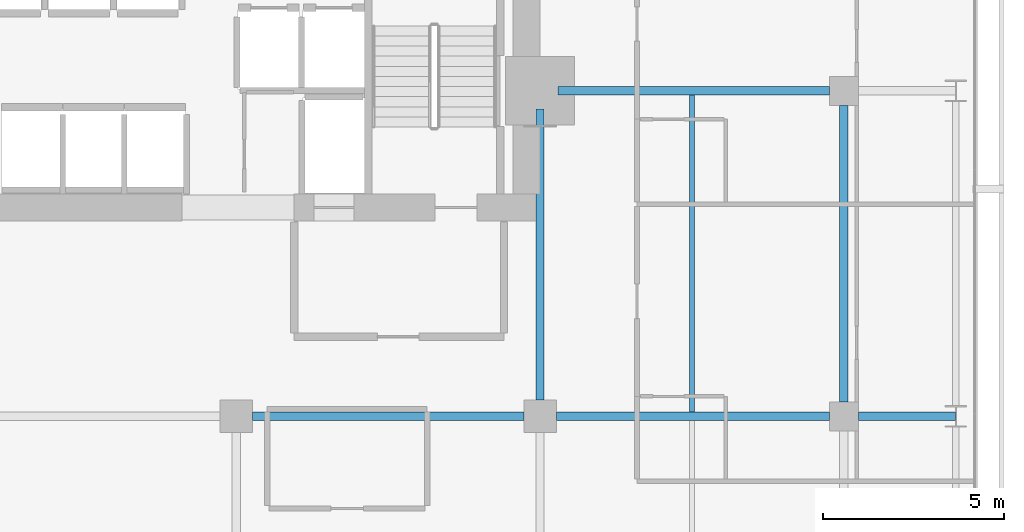
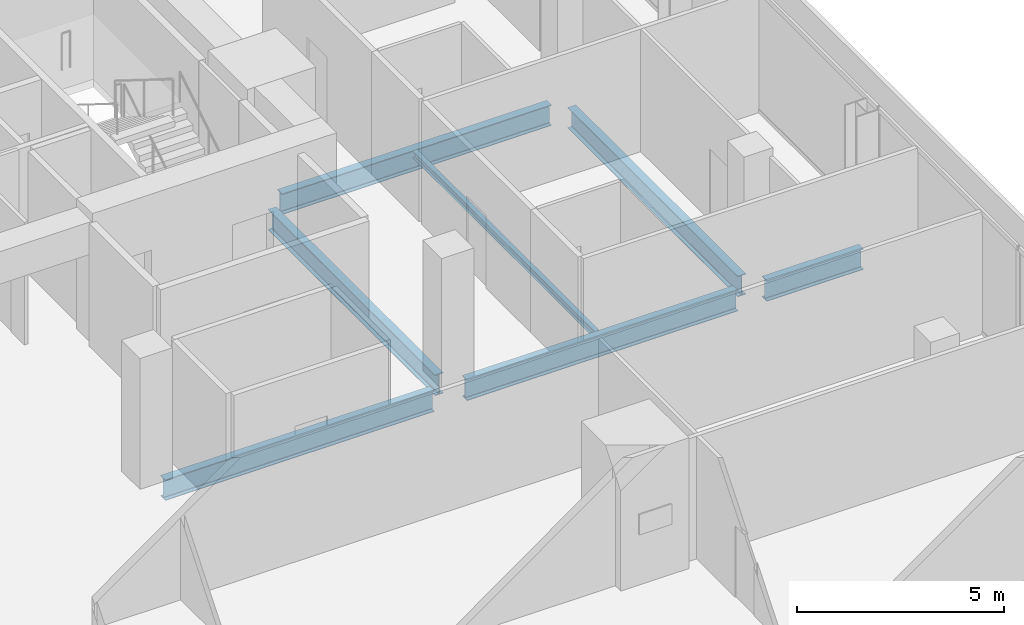
# One storey, part 23 of 33: 7 beams.
"""IFC4 building model written with IfcOpenShell, lengths in metres."""

from ifc_helpers import new_model, si_unit, direction, frame, origin, origin_2d, place, context, subcontext, project, spatial, i_section, extrude, material, material_profile, profile_set, type_object, element, save


model = new_model("IFC4")

# Units and contexts
model_context = context("Model", 3, precision=1e-05, world=origin(), true_north=direction((0.0, 1.0)))
body_context = subcontext(model_context, "Body", "Model", "MODEL_VIEW")
ifc_project = project(units=[si_unit("LENGTHUNIT", "METRE"), si_unit("AREAUNIT", "SQUARE_METRE"), si_unit("VOLUMEUNIT", "CUBIC_METRE"), si_unit("PLANEANGLEUNIT", "RADIAN"), si_unit("MASSUNIT", "GRAM", prefix="KILO")], contexts=[model_context])

# Site, building, storey
site_placement = place(None, origin())
site = spatial("IfcSite", under=ifc_project, at=site_placement, CompositionType="ELEMENT")
building_placement = place(site_placement, origin())
building = spatial("IfcBuilding", under=site, at=building_placement, Name="Maruvema Waterfront Hotel and Observation Tower", CompositionType="ELEMENT")
storey_placement = place(building_placement, frame((0.0, 0.0, 142.800048828125)))
storey = spatial("IfcBuildingStorey", under=building, at=storey_placement, Name="L34", CompositionType="ELEMENT", Elevation=142.800048828125)

# Beams
ifc_material_1 = material(Name="Steel ASTM A572 Grade 50", Category="steel")
ifc_material_profile_1 = material_profile(ifc_material_1, i_section(OverallWidth=0.22900390625, OverallDepth=0.612060546875, WebThickness=0.011962890625, FlangeThickness=0.01953125, FilletRadius=0.01806640625, at=origin_2d()), Name="W610x125.0")
ifc_profile_set_1 = profile_set([ifc_material_profile_1], Name="Steel ASTM A572 Grade 50")
beam_type_1 = type_object("IfcBeamType", Name="Primary Floor Girder W610x125.0", PredefinedType="BEAM", material=ifc_profile_set_1)
beam_1_placement = place(storey_placement, frame((42.449951171875, 36.0, -0.546142578125), z_axis=(1.0, 0.0, 0.0), x_axis=(0.0, 1.0, 0.0)))
element("IfcBeam", 1, at=beam_1_placement, inside=storey, type_object=beam_type_1, Name="L34 Floor Girder EW-27", PredefinedType="BEAM", context=body_context, shape_type="SweptSolid", body=[
    extrude(i_section(OverallWidth=0.22900390625, OverallDepth=0.612060546875, WebThickness=0.011962890625, FlangeThickness=0.01953125, FilletRadius=0.01806640625, at=origin_2d()), origin(), (0.0, 0.0, 1.0), 7.5),
])
beam_2_placement = place(storey_placement, frame((50.85009765625, 36.0, -0.546142578125), z_axis=(1.0, 0.0, 0.0), x_axis=(0.0, 1.0, 0.0)))
element("IfcBeam", 2, at=beam_2_placement, inside=storey, type_object=beam_type_1, Name="L34 Floor Girder EW-28", PredefinedType="BEAM", context=body_context, shape_type="SweptSolid", body=[
    extrude(i_section(OverallWidth=0.22900390625, OverallDepth=0.612060546875, WebThickness=0.011962890625, FlangeThickness=0.01953125, FilletRadius=0.01806640625, at=origin_2d()), origin(), (0.0, 0.0, 1.0), 7.5498046875),
])
beam_3_placement = place(storey_placement, frame((59.199951171875, 36.0, -0.546142578125), z_axis=(1.0, 0.0, 0.0), x_axis=(0.0, 1.0, 0.0)))
element("IfcBeam", 3, at=beam_3_placement, inside=storey, type_object=beam_type_1, Name="L34 Floor Girder EW-29", PredefinedType="BEAM", context=body_context, shape_type="SweptSolid", body=[
    extrude(i_section(OverallWidth=0.22900390625, OverallDepth=0.612060546875, WebThickness=0.011962890625, FlangeThickness=0.01953125, FilletRadius=0.01806640625, at=origin_2d()), origin(), (0.0, 0.0, 1.0), 2.6875),
])
beam_4_placement = place(storey_placement, frame((50.89990234375, 45.0, -0.546142578125), z_axis=(1.0, 0.0, 0.0), x_axis=(0.0, 1.0, 0.0)))
element("IfcBeam", 4, at=beam_4_placement, inside=storey, type_object=beam_type_1, Name="L34 Floor Girder EW-32", PredefinedType="BEAM", context=body_context, shape_type="SweptSolid", body=[
    extrude(i_section(OverallWidth=0.22900390625, OverallDepth=0.612060546875, WebThickness=0.011962890625, FlangeThickness=0.01953125, FilletRadius=0.01806640625, at=origin_2d()), origin(), (0.0, 0.0, 1.0), 7.5),
])
beam_5_placement = place(storey_placement, frame((50.39990234375, 36.449951171875, -0.546142578125), z_axis=(0.0, 1.0, 0.0), x_axis=(-1.0, 0.0, 0.0)))
element("IfcBeam", 5, at=beam_5_placement, inside=storey, type_object=beam_type_1, Name="L34 Floor Girder NS-24", PredefinedType="BEAM", context=body_context, shape_type="SweptSolid", body=[
    extrude(i_section(OverallWidth=0.22900390625, OverallDepth=0.612060546875, WebThickness=0.011962890625, FlangeThickness=0.01953125, FilletRadius=0.01806640625, at=origin_2d()), origin(), (0.0, 0.0, 1.0), 8.050048828125),
])
beam_6_placement = place(storey_placement, frame((58.800048828125, 36.39990234375, -0.546142578125), z_axis=(0.0, 1.0, 0.0), x_axis=(-1.0, 0.0, 0.0)))
element("IfcBeam", 6, at=beam_6_placement, inside=storey, type_object=beam_type_1, Name="L34 Floor Girder NS-28", PredefinedType="BEAM", context=body_context, shape_type="SweptSolid", body=[
    extrude(i_section(OverallWidth=0.22900390625, OverallDepth=0.612060546875, WebThickness=0.011962890625, FlangeThickness=0.01953125, FilletRadius=0.01806640625, at=origin_2d()), origin(), (0.0, 0.0, 1.0), 8.2001953125),
])
ifc_material_2 = material(Name="Steel ASTM A572 Grade 50", Category="steel")
ifc_material_profile_2 = material_profile(ifc_material_2, i_section(OverallWidth=0.133056640625, OverallDepth=0.20703125, WebThickness=0.005859375, FlangeThickness=0.00830078125, FilletRadius=0.010009765625, at=origin_2d()), Name="W200x26.6")
ifc_profile_set_2 = profile_set([ifc_material_profile_2], Name="Steel ASTM A572 Grade 50")
beam_type_2 = type_object("IfcBeamType", Name="Secondary Floor Joist W200x26.6", PredefinedType="JOIST", material=ifc_profile_set_2)
beam_7_placement = place(storey_placement, frame((54.60009765625, 36.114501953125, -0.343505859375), z_axis=(0.0, 1.0, 0.0), x_axis=(-1.0, 0.0, 0.0)))
element("IfcBeam", 7, at=beam_7_placement, inside=storey, type_object=beam_type_2, Name="L34 Secondary Floor Joist JS-14", PredefinedType="JOIST", context=body_context, shape_type="SweptSolid", body=[
    extrude(i_section(OverallWidth=0.133056640625, OverallDepth=0.20703125, WebThickness=0.005859375, FlangeThickness=0.00830078125, FilletRadius=0.010009765625, at=origin_2d()), origin(), (0.0, 0.0, 1.0), 8.77099609375),
])

save(model, "model.ifc")
